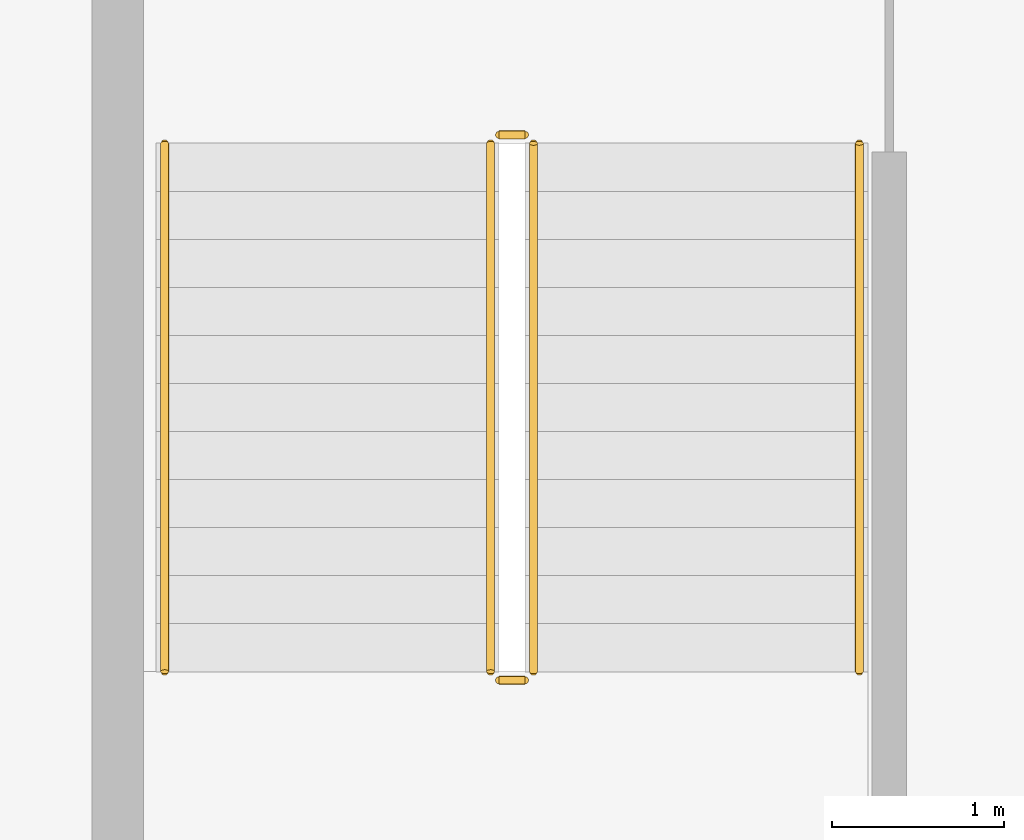
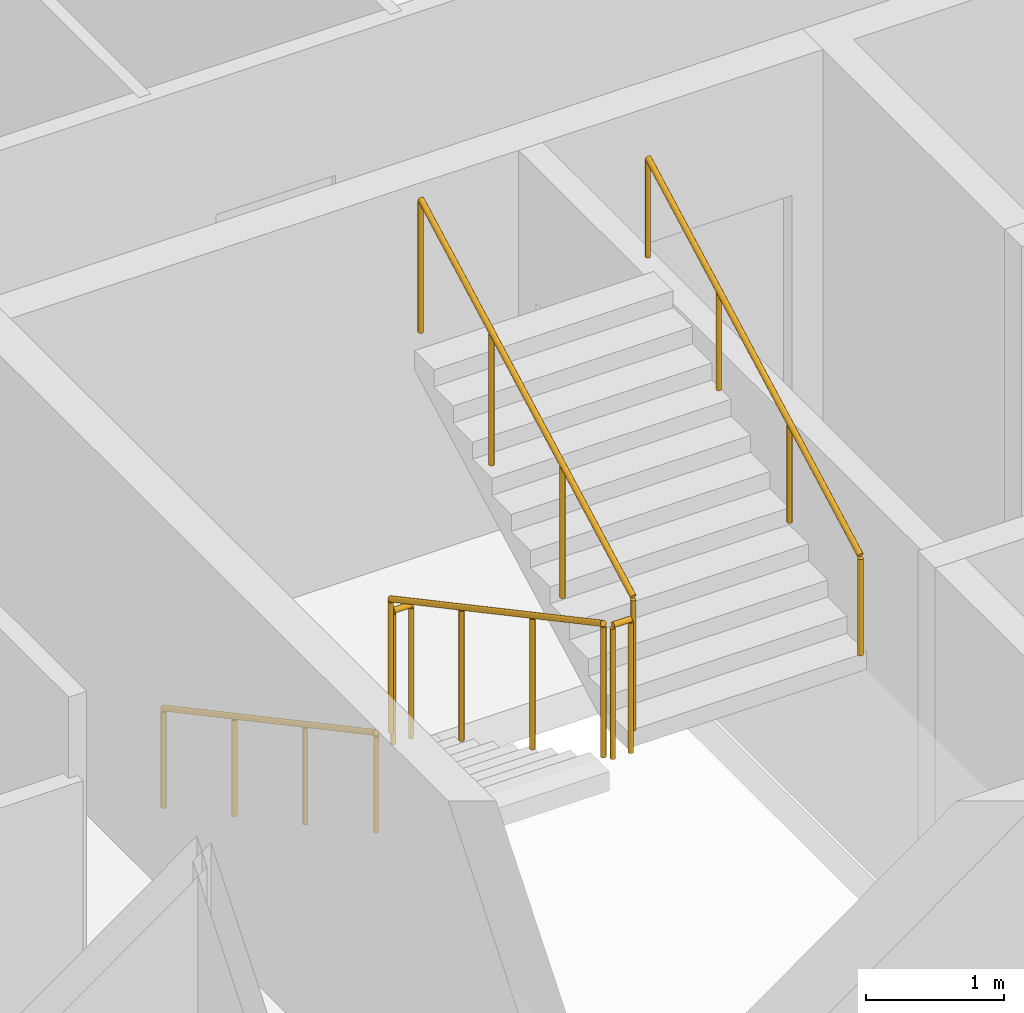
# One storey, part 12 of 14: 6 railings.
"""IFC4 building model written with IfcOpenShell, lengths in metres."""

from ifc_helpers import new_model, si_unit, direction, frame, origin, origin_2d, place, context, subcontext, project, spatial, circle, extrude, material, type_object, element, save


model = new_model("IFC4")

# Units and contexts
model_context = context("Model", 3, precision=1e-05, world=origin(), true_north=direction((0.0, 1.0)))
body_context = subcontext(model_context, "Body", "Model", "MODEL_VIEW")
ifc_project = project(units=[si_unit("LENGTHUNIT", "METRE"), si_unit("AREAUNIT", "SQUARE_METRE"), si_unit("VOLUMEUNIT", "CUBIC_METRE"), si_unit("PLANEANGLEUNIT", "RADIAN"), si_unit("MASSUNIT", "GRAM", prefix="KILO")], contexts=[model_context])

# Site, building, storey
site_placement = place(None, origin())
site = spatial("IfcSite", under=ifc_project, at=site_placement, CompositionType="ELEMENT")
building_placement = place(site_placement, origin())
building = spatial("IfcBuilding", under=site, at=building_placement, Name="Caravel Reach Hotel and Residences", CompositionType="ELEMENT")
storey_placement = place(building_placement, frame((0.0, 0.0, 40.800048828125)))
storey = spatial("IfcBuildingStorey", under=building, at=storey_placement, Name="L08", CompositionType="ELEMENT", Elevation=40.800048828125)

# Railings
ifc_material_1 = material(Name="Steel balustrade with glass infill", Category="steel")
railing_type_1 = type_object("IfcRailingType", Name="Guard 1200", PredefinedType="GUARDRAIL", material=ifc_material_1)
railing_1_placement = place(storey_placement, frame((20.175048828125, 29.35009765625, 0.14990234375)))
element("IfcRailing", 1, at=railing_1_placement, inside=storey, type_object=railing_type_1, Name="L08 ST-A stair guard 1", PredefinedType="GUARDRAIL", context=body_context, shape_type="SweptSolid", body=[
    extrude(circle(Radius=0.02392578125, at=origin_2d()), frame((0.0, 0.0, 1.17578125), z_axis=(0.0, -0.881467505477, 0.472244678941), x_axis=(1.0, 0.0, 0.0)), (0.0, 0.0, 1.0), 3.494140625),
    extrude(circle(Radius=0.02099609375, at=origin_2d()), origin(), (0.0, 0.0, 1.0), 1.15185546875),
    extrude(circle(Radius=0.02099609375, at=origin_2d()), frame((0.0, -1.026611328125, 0.550048828125)), (0.0, 0.0, 1.0), 1.15185546875),
    extrude(circle(Radius=0.02099609375, at=origin_2d()), frame((0.0, -2.053466796875, 1.10009765625)), (0.0, 0.0, 1.0), 1.15185546875),
    extrude(circle(Radius=0.02099609375, at=origin_2d()), frame((0.0, -3.080078125, 1.650146484375)), (0.0, 0.0, 1.0), 1.15185546875),
])
railing_2_placement = place(storey_placement, frame((20.22509765625, 26.219970703125, 1.800048828125)))
element("IfcRailing", 2, at=railing_2_placement, inside=storey, type_object=railing_type_1, Name="L08 ST-A stair guard 2", PredefinedType="GUARDRAIL", context=body_context, shape_type="SweptSolid", body=[
    extrude(circle(Radius=0.02392578125, at=origin_2d()), frame((0.0, 0.0, 1.17578125), z_axis=(1.0, 0.0, 0.0), x_axis=(0.0, 1.0, 0.0)), (0.0, 0.0, 1.0), 0.14990234375),
    extrude(circle(Radius=0.02099609375, at=origin_2d()), origin(), (0.0, 0.0, 1.0), 1.15185546875),
    extrude(circle(Radius=0.02099609375, at=origin_2d()), frame((0.14990234375, 0.0, 0.0)), (0.0, 0.0, 1.0), 1.15185546875),
])
railing_3_placement = place(storey_placement, frame((20.425048828125, 26.27001953125, 1.949951171875)))
element("IfcRailing", 3, at=railing_3_placement, inside=storey, type_object=railing_type_1, Name="L08 ST-A stair guard 3", PredefinedType="GUARDRAIL", context=body_context, shape_type="SweptSolid", body=[
    extrude(circle(Radius=0.02392578125, at=origin_2d()), frame((0.0, 0.0, 1.17578125), z_axis=(0.0, 0.881496589024, 0.472190389079), x_axis=(-1.0, 0.0, 0.0)), (0.0, 0.0, 1.0), 3.494140625),
    extrude(circle(Radius=0.02099609375, at=origin_2d()), origin(), (0.0, 0.0, 1.0), 1.15185546875),
    extrude(circle(Radius=0.02099609375, at=origin_2d()), frame((0.0, 1.026611328125, 0.550048828125)), (0.0, 0.0, 1.0), 1.15185546875),
    extrude(circle(Radius=0.02099609375, at=origin_2d()), frame((0.0, 2.053466796875, 1.099853515625)), (0.0, 0.0, 1.0), 1.15185546875),
    extrude(circle(Radius=0.02099609375, at=origin_2d()), frame((0.0, 3.080078125, 1.64990234375)), (0.0, 0.0, 1.0), 1.15185546875),
])
railing_4_placement = place(storey_placement, frame((20.22509765625, 29.39990234375, 0.0)))
element("IfcRailing", 4, at=railing_4_placement, inside=storey, type_object=railing_type_1, Name="L08 ST-A stair guard 4", PredefinedType="GUARDRAIL", context=body_context, shape_type="SweptSolid", body=[
    extrude(circle(Radius=0.02392578125, at=origin_2d()), frame((0.0, 0.0, 1.17578125), z_axis=(1.0, 0.0, 0.0), x_axis=(0.0, 1.0, 0.0)), (0.0, 0.0, 1.0), 0.14990234375),
    extrude(circle(Radius=0.02099609375, at=origin_2d()), origin(), (0.0, 0.0, 1.0), 1.15185546875),
    extrude(circle(Radius=0.02099609375, at=origin_2d()), frame((0.14990234375, 0.0, 0.0)), (0.0, 0.0, 1.0), 1.15185546875),
])
ifc_material_2 = material(Name="Stainless steel handrail", Category="steel")
railing_type_2 = type_object("IfcRailingType", Name="Handrail 900", PredefinedType="HANDRAIL", material=ifc_material_2)
railing_5_placement = place(storey_placement, frame((18.27490234375, 29.35009765625, 0.14990234375)))
element("IfcRailing", 5, at=railing_5_placement, inside=storey, type_object=railing_type_2, Name="L08 ST-A stair handrail 1", PredefinedType="HANDRAIL", context=body_context, shape_type="SweptSolid", body=[
    extrude(circle(Radius=0.02392578125, at=origin_2d()), frame((0.0, 0.0, 0.8759765625), z_axis=(0.0, -0.881467505477, 0.472244678941), x_axis=(1.0, 0.0, 0.0)), (0.0, 0.0, 1.0), 3.494140625),
    extrude(circle(Radius=0.02099609375, at=origin_2d()), origin(), (0.0, 0.0, 1.0), 0.851806640625),
    extrude(circle(Radius=0.02099609375, at=origin_2d()), frame((0.0, -1.026611328125, 0.550048828125)), (0.0, 0.0, 1.0), 0.851806640625),
    extrude(circle(Radius=0.02099609375, at=origin_2d()), frame((0.0, -2.053466796875, 1.10009765625)), (0.0, 0.0, 1.0), 0.851806640625),
    extrude(circle(Radius=0.02099609375, at=origin_2d()), frame((0.0, -3.080078125, 1.650146484375)), (0.0, 0.0, 1.0), 0.851806640625),
])
railing_6_placement = place(storey_placement, frame((22.324951171875, 26.27001953125, 1.949951171875)))
element("IfcRailing", 6, at=railing_6_placement, inside=storey, type_object=railing_type_2, Name="L08 ST-A stair handrail 2", PredefinedType="HANDRAIL", context=body_context, shape_type="SweptSolid", body=[
    extrude(circle(Radius=0.02392578125, at=origin_2d()), frame((0.0, 0.0, 0.8759765625), z_axis=(0.0, 0.881496589024, 0.472190389079), x_axis=(-1.0, 0.0, 0.0)), (0.0, 0.0, 1.0), 3.494140625),
    extrude(circle(Radius=0.02099609375, at=origin_2d()), origin(), (0.0, 0.0, 1.0), 0.851806640625),
    extrude(circle(Radius=0.02099609375, at=origin_2d()), frame((0.0, 1.026611328125, 0.550048828125)), (0.0, 0.0, 1.0), 0.851806640625),
    extrude(circle(Radius=0.02099609375, at=origin_2d()), frame((0.0, 2.053466796875, 1.099853515625)), (0.0, 0.0, 1.0), 0.851806640625),
    extrude(circle(Radius=0.02099609375, at=origin_2d()), frame((0.0, 3.080078125, 1.64990234375)), (0.0, 0.0, 1.0), 0.851806640625),
])

save(model, "model.ifc")
